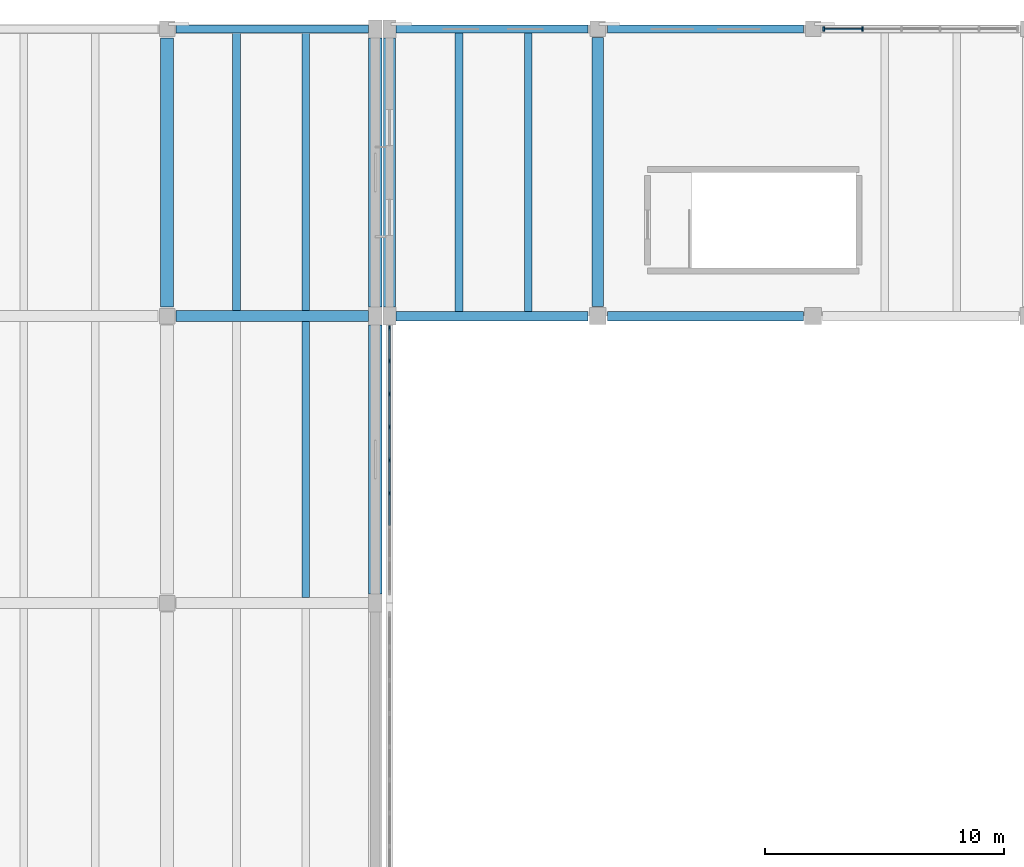
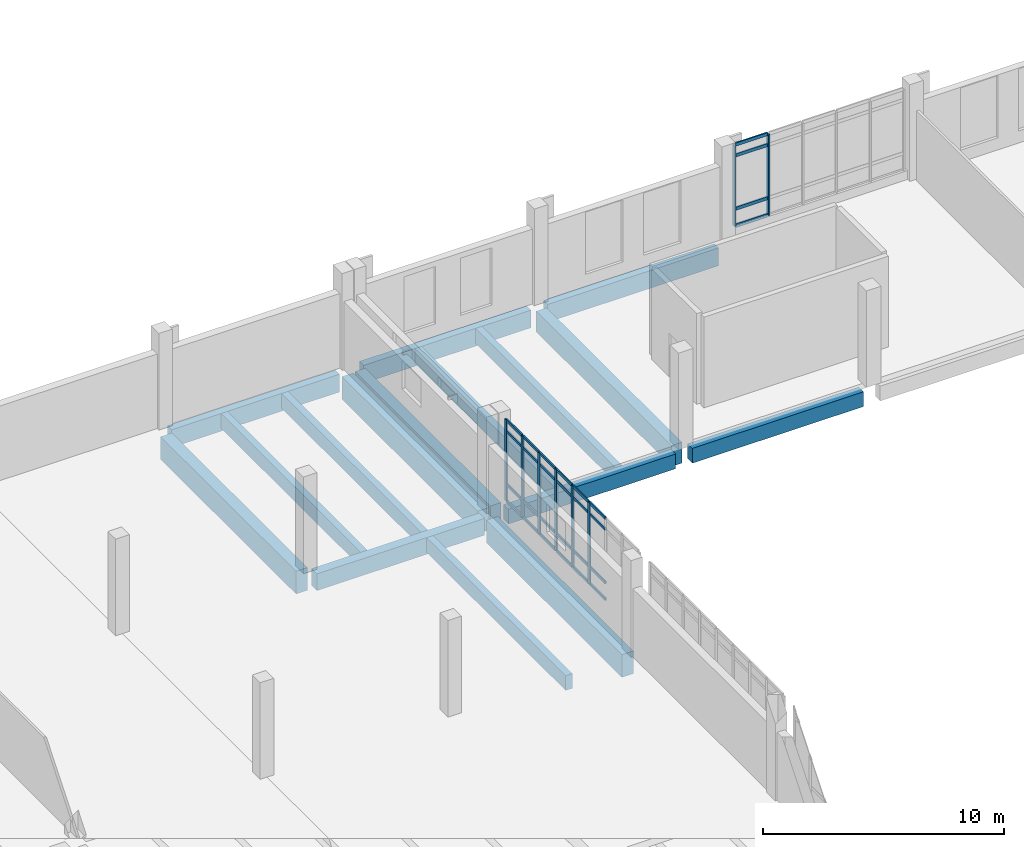
# One storey, part 50 of 110: 36 members, 16 beams, 2 elements without a shape of their own.
"""IFC4 building model written with IfcOpenShell, lengths in metres."""

from ifc_helpers import new_model, si_unit, direction, frame, origin, origin_2d, place, context, subcontext, project, spatial, rectangle, extrude, material, layer, layer_set, material_profile, profile_set, type_object, element, aggregate, save


model = new_model("IFC4")

# Units and contexts
model_context = context("Model", 3, precision=1e-05, world=origin(), true_north=direction((0.0, 1.0)))
body_context = subcontext(model_context, "Body", "Model", "MODEL_VIEW")
ifc_project = project(units=[si_unit("LENGTHUNIT", "METRE"), si_unit("AREAUNIT", "SQUARE_METRE"), si_unit("VOLUMEUNIT", "CUBIC_METRE"), si_unit("PLANEANGLEUNIT", "RADIAN"), si_unit("MASSUNIT", "GRAM", prefix="KILO")], contexts=[model_context])

# Site, building, storey
site_placement = place(None, origin())
site = spatial("IfcSite", under=ifc_project, at=site_placement, CompositionType="ELEMENT")
building_placement = place(site_placement, origin())
building = spatial("IfcBuilding", under=site, at=building_placement, Name="Zacnel Wholesale Market", CompositionType="ELEMENT")
storey_placement = place(building_placement, frame((0.0, 0.0, 6.300048828125)))
storey = spatial("IfcBuildingStorey", under=building, at=storey_placement, Name="L02", CompositionType="ELEMENT", Elevation=6.300048828125)

# Beams
ifc_material_1 = material(Name="Precast concrete C45/55", Category="concrete")
ifc_material_profile_1 = material_profile(ifc_material_1, rectangle(XDim=0.320068359375, YDim=0.75, at=origin_2d()), Name="DT RIB 320x750")
ifc_profile_set_1 = profile_set([ifc_material_profile_1], Name="Precast concrete C45/55")
beam_type_1 = type_object("IfcBeamType", Name="BM-DT750", PredefinedType="JOIST", material=ifc_profile_set_1)
beam_1_placement = place(storey_placement, frame((68.800048828125, 120.22509765625, -0.695068359375), z_axis=(0.0, 1.0, 0.0), x_axis=(-1.0, 0.0, 0.0)))
element("IfcBeam", 1, at=beam_1_placement, inside=storey, type_object=beam_type_1, Name="Precast secondary joist L02-0312", PredefinedType="JOIST", context=body_context, shape_type="SweptSolid", body=[
    extrude(rectangle(XDim=0.320068359375, YDim=0.75, at=origin_2d()), origin(), (0.0, 0.0, 1.0), 11.5498046875),
])
for number, where, z_axis, x_axis, name in (
    (2, (65.89990234375, 132.22509765625, -0.695068359375), (0.0, 1.0, 0.0), (-1.0, 0.0, 0.0), "Precast secondary joist L02-0323"),
    (3, (68.800048828125, 132.22509765625, -0.695068359375), (0.0, 1.0, 0.0), (-1.0, 0.0, 0.0), "Precast secondary joist L02-0324"),
):
    element("IfcBeam", number, at=place(storey_placement, frame(where, z_axis=z_axis, x_axis=x_axis)), inside=storey, type_object=beam_type_1, Name=name, PredefinedType="JOIST", context=body_context, shape_type="SweptSolid", body=[
        extrude(rectangle(XDim=0.320068359375, YDim=0.75, at=origin_2d()), origin(), (0.0, 0.0, 1.0), 11.599853515625),
    ])
for number, where, z_axis, x_axis, name in (
    (4, (75.199951171875, 132.199951171875, -0.655029296875), (0.0, 1.0, 0.0), (-1.0, 0.0, 0.0), "Precast secondary joist L02-0325"),
    (5, (78.10009765625, 132.199951171875, -0.655029296875), (0.0, 1.0, 0.0), (-1.0, 0.0, 0.0), "Precast secondary joist L02-0326"),
):
    element("IfcBeam", number, at=place(storey_placement, frame(where, z_axis=z_axis, x_axis=x_axis)), inside=storey, type_object=beam_type_1, Name=name, PredefinedType="JOIST", context=body_context, shape_type="SweptSolid", body=[
        extrude(rectangle(XDim=0.320068359375, YDim=0.75, at=origin_2d()), origin(), (0.0, 0.0, 1.0), 11.625),
    ])
ifc_material_2 = material(Name="Precast concrete C45/55", Category="concrete")
ifc_material_profile_2 = material_profile(ifc_material_2, rectangle(XDim=0.5, YDim=1.050048828125, at=origin_2d()), Name="PG 500x1050")
ifc_profile_set_2 = profile_set([ifc_material_profile_2], Name="Precast concrete C45/55")
beam_type_2 = type_object("IfcBeamType", Name="BM-PG1050", PredefinedType="T_BEAM", material=ifc_profile_set_2)
for number, where, z_axis, x_axis, name in (
    (6, (72.300048828125, 132.375, -0.804931640625), (0.0, 1.0, 0.0), (-1.0, 0.0, 0.0), "Precast girder Y-0419"),
    (7, (81.0, 132.39990234375, -0.804931640625), (0.0, 1.0, 0.0), (-1.0, 0.0, 0.0), "Precast girder Y-0427"),
):
    element("IfcBeam", number, at=place(storey_placement, frame(where, z_axis=z_axis, x_axis=x_axis)), inside=storey, type_object=beam_type_2, Name=name, PredefinedType="T_BEAM", context=body_context, shape_type="SweptSolid", body=[
        extrude(rectangle(XDim=0.5, YDim=1.050048828125, at=origin_2d()), origin(), (0.0, 0.0, 1.0), 11.25),
    ])
ifc_material_3 = material(Name="Precast concrete C45/55", Category="concrete")
ifc_material_profile_3 = material_profile(ifc_material_3, rectangle(XDim=0.550048828125, YDim=1.14990234375, at=origin_2d()), Name="PG 550x1150")
ifc_profile_set_3 = profile_set([ifc_material_profile_3], Name="Precast concrete C45/55")
beam_type_3 = type_object("IfcBeamType", Name="BM-PG1150", PredefinedType="T_BEAM", material=ifc_profile_set_3)
for number, where, z_axis, x_axis, name in (
    (8, (63.0, 132.375, -0.89501953125), (0.0, 1.0, 0.0), (-1.0, 0.0, 0.0), "Precast girder Y-0400"),
    (9, (71.699951171875, 120.375, -0.89501953125), (0.0, 1.0, 0.0), (-1.0, 0.0, 0.0), "Precast girder Y-0414"),
    (10, (71.699951171875, 132.375, -0.89501953125), (0.0, 1.0, 0.0), (-1.0, 0.0, 0.0), "Precast girder Y-0415"),
):
    element("IfcBeam", number, at=place(storey_placement, frame(where, z_axis=z_axis, x_axis=x_axis)), inside=storey, type_object=beam_type_3, Name=name, PredefinedType="T_BEAM", context=body_context, shape_type="SweptSolid", body=[
        extrude(rectangle(XDim=0.550048828125, YDim=1.14990234375, at=origin_2d()), origin(), (0.0, 0.0, 1.0), 11.25),
    ])
ifc_material_4 = material(Name="Precast concrete C45/55", Category="concrete")
ifc_material_profile_4 = material_profile(ifc_material_4, rectangle(XDim=0.39990234375, YDim=0.75, at=origin_2d()), Name="PG 400x750")
ifc_profile_set_4 = profile_set([ifc_material_profile_4], Name="Precast concrete C45/55")
beam_type_4 = type_object("IfcBeamType", Name="BM-PG750", PredefinedType="BEAM", material=ifc_profile_set_4)
beam_2_placement = place(storey_placement, frame((72.574951171875, 132.0, -0.655029296875), z_axis=(1.0, 0.0, 0.0), x_axis=(0.0, 1.0, 0.0)))
element("IfcBeam", 11, at=beam_2_placement, inside=storey, type_object=beam_type_4, Name="Precast girder X-0266", PredefinedType="BEAM", context=body_context, shape_type="SweptSolid", body=[
    extrude(rectangle(XDim=0.39990234375, YDim=0.75, at=origin_2d()), origin(), (0.0, 0.0, 1.0), 8.025146484375),
])
beam_3_placement = place(storey_placement, frame((81.39990234375, 132.0, -0.655029296875), z_axis=(1.0, 0.0, 0.0), x_axis=(0.0, 1.0, 0.0)))
element("IfcBeam", 12, at=beam_3_placement, inside=storey, type_object=beam_type_4, Name="Precast girder X-0267", PredefinedType="BEAM", context=body_context, shape_type="SweptSolid", body=[
    extrude(rectangle(XDim=0.39990234375, YDim=0.75, at=origin_2d()), origin(), (0.0, 0.0, 1.0), 8.2001953125),
])
ifc_material_5 = material(Name="Precast concrete C45/55", Category="concrete")
ifc_material_profile_5 = material_profile(ifc_material_5, rectangle(XDim=0.449951171875, YDim=0.85009765625, at=origin_2d()), Name="PG 450x850")
ifc_profile_set_5 = profile_set([ifc_material_profile_5], Name="Precast concrete C45/55")
beam_type_5 = type_object("IfcBeamType", Name="BM-PG850", PredefinedType="BEAM", material=ifc_profile_set_5)
beam_4_placement = place(storey_placement, frame((63.375, 132.0, -0.7451171875), z_axis=(1.0, 0.0, 0.0), x_axis=(0.0, 1.0, 0.0)))
element("IfcBeam", 13, at=beam_4_placement, inside=storey, type_object=beam_type_5, Name="Precast girder X-0265", PredefinedType="BEAM", context=body_context, shape_type="SweptSolid", body=[
    extrude(rectangle(XDim=0.449951171875, YDim=0.85009765625, at=origin_2d()), origin(), (0.0, 0.0, 1.0), 8.050048828125),
])
ifc_material_6 = material(Name="Precast concrete C45/55", Category="concrete")
ifc_material_profile_6 = material_profile(ifc_material_6, rectangle(XDim=0.35009765625, YDim=0.89990234375, at=origin_2d()), Name="SP 350x900")
ifc_profile_set_6 = profile_set([ifc_material_profile_6], Name="Precast concrete C45/55")
beam_type_6 = type_object("IfcBeamType", Name="BM-SP900", PredefinedType="SPANDREL", material=ifc_profile_set_6)
beam_5_placement = place(storey_placement, frame((63.375, 144.0, -0.77001953125), z_axis=(1.0, 0.0, 0.0), x_axis=(0.0, 1.0, 0.0)))
element("IfcBeam", 14, at=beam_5_placement, inside=storey, type_object=beam_type_6, Name="Precast girder X-0286", PredefinedType="SPANDREL", context=body_context, shape_type="SweptSolid", body=[
    extrude(rectangle(XDim=0.35009765625, YDim=0.89990234375, at=origin_2d()), origin(), (0.0, 0.0, 1.0), 8.050048828125),
])
beam_6_placement = place(storey_placement, frame((72.574951171875, 144.0, -0.72998046875), z_axis=(1.0, 0.0, 0.0), x_axis=(0.0, 1.0, 0.0)))
element("IfcBeam", 15, at=beam_6_placement, inside=storey, type_object=beam_type_6, Name="Precast girder X-0287", PredefinedType="SPANDREL", context=body_context, shape_type="SweptSolid", body=[
    extrude(rectangle(XDim=0.35009765625, YDim=0.89990234375, at=origin_2d()), origin(), (0.0, 0.0, 1.0), 8.025146484375),
])
beam_7_placement = place(storey_placement, frame((81.39990234375, 144.0, -0.72998046875), z_axis=(1.0, 0.0, 0.0), x_axis=(0.0, 1.0, 0.0)))
element("IfcBeam", 16, at=beam_7_placement, inside=storey, type_object=beam_type_6, Name="Precast girder X-0288", PredefinedType="SPANDREL", context=body_context, shape_type="SweptSolid", body=[
    extrude(rectangle(XDim=0.35009765625, YDim=0.89990234375, at=origin_2d()), origin(), (0.0, 0.0, 1.0), 8.2001953125),
])

# Curtain wall, members
ifc_material_7 = material(Name="Anodised aluminium", Category="aluminium")
ifc_layer_1 = layer(ifc_material_7, 0.159912109375)
ifc_layer_set_1 = layer_set([ifc_layer_1], Name="Anodised aluminium")
curtain_wall_type_1 = type_object("IfcCurtainWallType", Name="CW-COURT-4500", PredefinedType="NOTDEFINED", material=ifc_layer_set_1)
curtain_wall_1_placement = place(storey_placement, origin())
curtain_wall_1 = element("IfcCurtainWall", 17, at=curtain_wall_1_placement, inside=storey, type_object=curtain_wall_type_1, Name="Curtain wall ENV-R2-CW-L02-035", PredefinedType="NOTDEFINED")
ifc_material_8 = material(Name="Anodised aluminium", Category="aluminium")
ifc_material_profile_7 = material_profile(ifc_material_8, rectangle(XDim=0.070068359375, YDim=0.199951171875, at=origin_2d()), Name="AW-MULLION 70x200")
ifc_profile_set_7 = profile_set([ifc_material_profile_7], Name="Anodised aluminium")
member_type_1 = type_object("IfcMemberType", Name="CWM-MUL-02", PredefinedType="MULLION", material=ifc_profile_set_7)
member_1_placement = place(storey_placement, frame((90.449951171875, 144.0, 0.449951171875), z_axis=(0.0, 0.0, 1.0), x_axis=(1.0, 0.0, 0.0)))
member_1 = element("IfcMember", 18, at=member_1_placement, type_object=member_type_1, Name="ENV-R2-CW-L02-035 mullion 01", PredefinedType="MULLION", context=body_context, shape_type="SweptSolid", body=[
    extrude(rectangle(XDim=0.070068359375, YDim=0.199951171875, at=origin_2d()), origin(), (0.0, 0.0, 1.0), 4.10009765625),
])
member_2_placement = place(storey_placement, frame((92.070068359375, 144.0, 0.449951171875), z_axis=(0.0, 0.0, 1.0), x_axis=(1.0, 0.0, 0.0)))
member_2 = element("IfcMember", 19, at=member_2_placement, type_object=member_type_1, Name="ENV-R2-CW-L02-035 mullion 02", PredefinedType="MULLION", context=body_context, shape_type="SweptSolid", body=[
    extrude(rectangle(XDim=0.070068359375, YDim=0.199951171875, at=origin_2d()), origin(), (0.0, 0.0, 1.0), 4.10009765625),
])

ifc_material_9 = material(Name="Anodised aluminium", Category="aluminium")
ifc_layer_2 = layer(ifc_material_9, 0.159912109375)
ifc_layer_set_2 = layer_set([ifc_layer_2], Name="Anodised aluminium")
curtain_wall_type_2 = type_object("IfcCurtainWallType", Name="CW-NAVE-4200", PredefinedType="NOTDEFINED", material=ifc_layer_set_2)
curtain_wall_2_placement = place(storey_placement, origin())
curtain_wall_2 = element("IfcCurtainWall", 20, at=curtain_wall_2_placement, inside=storey, type_object=curtain_wall_type_2, Name="Curtain wall ENV-R2-CW-L02-031", PredefinedType="NOTDEFINED")
ifc_material_10 = material(Name="Anodised aluminium", Category="aluminium")
ifc_material_profile_8 = material_profile(ifc_material_10, rectangle(XDim=0.06494140625, YDim=0.179931640625, at=origin_2d()), Name="AW-MULLION 65x180")
ifc_profile_set_8 = profile_set([ifc_material_profile_8], Name="Anodised aluminium")
member_type_2 = type_object("IfcMemberType", Name="CWM-MUL-03", PredefinedType="MULLION", material=ifc_profile_set_8)
member_3_placement = place(storey_placement, frame((72.300048828125, 124.595703125, 0.449951171875), z_axis=(0.0, 0.0, 1.0), x_axis=(1.0, 0.0, 0.0)))
member_3 = element("IfcMember", 21, at=member_3_placement, type_object=member_type_2, Name="ENV-R2-CW-L02-031 mullion 04", PredefinedType="MULLION", context=body_context, shape_type="SweptSolid", body=[
    extrude(rectangle(XDim=0.06494140625, YDim=0.179931640625, at=origin_2d()), origin(), (0.0, 0.0, 1.0), 4.10009765625),
])
member_4_placement = place(storey_placement, frame((72.300048828125, 125.9775390625, 0.449951171875), z_axis=(0.0, 0.0, 1.0), x_axis=(1.0, 0.0, 0.0)))
member_4 = element("IfcMember", 22, at=member_4_placement, type_object=member_type_2, Name="ENV-R2-CW-L02-031 mullion 05", PredefinedType="MULLION", context=body_context, shape_type="SweptSolid", body=[
    extrude(rectangle(XDim=0.06494140625, YDim=0.179931640625, at=origin_2d()), origin(), (0.0, 0.0, 1.0), 4.10009765625),
])
member_5_placement = place(storey_placement, frame((72.300048828125, 127.359375, 0.449951171875), z_axis=(0.0, 0.0, 1.0), x_axis=(1.0, 0.0, 0.0)))
member_5 = element("IfcMember", 23, at=member_5_placement, type_object=member_type_2, Name="ENV-R2-CW-L02-031 mullion 06", PredefinedType="MULLION", context=body_context, shape_type="SweptSolid", body=[
    extrude(rectangle(XDim=0.06494140625, YDim=0.179931640625, at=origin_2d()), origin(), (0.0, 0.0, 1.0), 4.10009765625),
])
member_6_placement = place(storey_placement, frame((72.300048828125, 128.7412109375, 0.449951171875), z_axis=(0.0, 0.0, 1.0), x_axis=(1.0, 0.0, 0.0)))
member_6 = element("IfcMember", 24, at=member_6_placement, type_object=member_type_2, Name="ENV-R2-CW-L02-031 mullion 07", PredefinedType="MULLION", context=body_context, shape_type="SweptSolid", body=[
    extrude(rectangle(XDim=0.06494140625, YDim=0.179931640625, at=origin_2d()), origin(), (0.0, 0.0, 1.0), 4.10009765625),
])
member_7_placement = place(storey_placement, frame((72.300048828125, 130.123046875, 0.449951171875), z_axis=(0.0, 0.0, 1.0), x_axis=(1.0, 0.0, 0.0)))
member_7 = element("IfcMember", 25, at=member_7_placement, type_object=member_type_2, Name="ENV-R2-CW-L02-031 mullion 08", PredefinedType="MULLION", context=body_context, shape_type="SweptSolid", body=[
    extrude(rectangle(XDim=0.06494140625, YDim=0.179931640625, at=origin_2d()), origin(), (0.0, 0.0, 1.0), 4.10009765625),
])
member_8_placement = place(storey_placement, frame((72.300048828125, 131.5048828125, 0.449951171875), z_axis=(0.0, 0.0, 1.0), x_axis=(1.0, 0.0, 0.0)))
member_8 = element("IfcMember", 26, at=member_8_placement, type_object=member_type_2, Name="ENV-R2-CW-L02-031 mullion 09", PredefinedType="MULLION", context=body_context, shape_type="SweptSolid", body=[
    extrude(rectangle(XDim=0.06494140625, YDim=0.179931640625, at=origin_2d()), origin(), (0.0, 0.0, 1.0), 4.10009765625),
])

# Member
ifc_material_11 = material(Name="Anodised aluminium", Category="aluminium")
ifc_material_profile_9 = material_profile(ifc_material_11, rectangle(XDim=0.070068359375, YDim=0.159912109375, at=origin_2d()), Name="AW-TRANSOM 70x160")
ifc_profile_set_9 = profile_set([ifc_material_profile_9], Name="Anodised aluminium")
member_type_3 = type_object("IfcMemberType", Name="CWM-TRN-02", PredefinedType="USERDEFINED", material=ifc_profile_set_9)
member_9_placement = place(storey_placement, frame((90.485107421875, 144.0, 0.449951171875), z_axis=(1.0, 0.0, 0.0), x_axis=(0.0, 1.0, 0.0)))
member_9 = element("IfcMember", 27, at=member_9_placement, type_object=member_type_3, Name="ENV-R2-CW-L02-035 transom 1-1", ObjectType="TRANSOM", PredefinedType="USERDEFINED", context=body_context, shape_type="SweptSolid", body=[
    extrude(rectangle(XDim=0.070068359375, YDim=0.159912109375, at=origin_2d()), origin(), (0.0, 0.0, 1.0), 1.5498046875),
])

member_10_placement = place(storey_placement, frame((90.485107421875, 144.0, 1.300048828125), z_axis=(1.0, 0.0, 0.0), x_axis=(0.0, 1.0, 0.0)))
member_10 = element("IfcMember", 28, at=member_10_placement, type_object=member_type_3, Name="ENV-R2-CW-L02-035 transom 1-2", ObjectType="TRANSOM", PredefinedType="USERDEFINED", context=body_context, shape_type="SweptSolid", body=[
    extrude(rectangle(XDim=0.070068359375, YDim=0.159912109375, at=origin_2d()), origin(), (0.0, 0.0, 1.0), 1.5498046875),
])

member_11_placement = place(storey_placement, frame((90.485107421875, 144.0, 4.0), z_axis=(1.0, 0.0, 0.0), x_axis=(0.0, 1.0, 0.0)))
member_11 = element("IfcMember", 29, at=member_11_placement, type_object=member_type_3, Name="ENV-R2-CW-L02-035 transom 1-3", ObjectType="TRANSOM", PredefinedType="USERDEFINED", context=body_context, shape_type="SweptSolid", body=[
    extrude(rectangle(XDim=0.070068359375, YDim=0.159912109375, at=origin_2d()), origin(), (0.0, 0.0, 1.0), 1.5498046875),
])

member_12_placement = place(storey_placement, frame((90.485107421875, 144.0, 4.550048828125), z_axis=(1.0, 0.0, 0.0), x_axis=(0.0, 1.0, 0.0)))
member_12 = element("IfcMember", 30, at=member_12_placement, type_object=member_type_3, Name="ENV-R2-CW-L02-035 transom 1-4", ObjectType="TRANSOM", PredefinedType="USERDEFINED", context=body_context, shape_type="SweptSolid", body=[
    extrude(rectangle(XDim=0.070068359375, YDim=0.159912109375, at=origin_2d()), origin(), (0.0, 0.0, 1.0), 1.5498046875),
])

aggregate(curtain_wall_1, [member_1, member_2, member_9, member_10, member_11, member_12])

ifc_material_12 = material(Name="Anodised aluminium", Category="aluminium")
ifc_material_profile_10 = material_profile(ifc_material_12, rectangle(XDim=0.06494140625, YDim=0.139892578125, at=origin_2d()), Name="AW-TRANSOM 65x140")
ifc_profile_set_10 = profile_set([ifc_material_profile_10], Name="Anodised aluminium")
member_type_4 = type_object("IfcMemberType", Name="CWM-TRN-03", PredefinedType="USERDEFINED", material=ifc_profile_set_10)
member_13_placement = place(storey_placement, frame((72.300048828125, 123.248779296875, 0.449951171875), z_axis=(0.0, 1.0, 0.0), x_axis=(-1.0, 0.0, 0.0)))
member_13 = element("IfcMember", 31, at=member_13_placement, type_object=member_type_4, Name="ENV-R2-CW-L02-031 transom 3-1", ObjectType="TRANSOM", PredefinedType="USERDEFINED", context=body_context, shape_type="SweptSolid", body=[
    extrude(rectangle(XDim=0.06494140625, YDim=0.139892578125, at=origin_2d()), origin(), (0.0, 0.0, 1.0), 1.311767578125),
])

member_14_placement = place(storey_placement, frame((72.300048828125, 123.248779296875, 1.300048828125), z_axis=(0.0, 1.0, 0.0), x_axis=(-1.0, 0.0, 0.0)))
member_14 = element("IfcMember", 32, at=member_14_placement, type_object=member_type_4, Name="ENV-R2-CW-L02-031 transom 3-2", ObjectType="TRANSOM", PredefinedType="USERDEFINED", context=body_context, shape_type="SweptSolid", body=[
    extrude(rectangle(XDim=0.06494140625, YDim=0.139892578125, at=origin_2d()), origin(), (0.0, 0.0, 1.0), 1.311767578125),
])

member_15_placement = place(storey_placement, frame((72.300048828125, 123.248779296875, 4.0), z_axis=(0.0, 1.0, 0.0), x_axis=(-1.0, 0.0, 0.0)))
member_15 = element("IfcMember", 33, at=member_15_placement, type_object=member_type_4, Name="ENV-R2-CW-L02-031 transom 3-3", ObjectType="TRANSOM", PredefinedType="USERDEFINED", context=body_context, shape_type="SweptSolid", body=[
    extrude(rectangle(XDim=0.06494140625, YDim=0.139892578125, at=origin_2d()), origin(), (0.0, 0.0, 1.0), 1.311767578125),
])

member_16_placement = place(storey_placement, frame((72.300048828125, 123.248779296875, 4.550048828125), z_axis=(0.0, 1.0, 0.0), x_axis=(-1.0, 0.0, 0.0)))
member_16 = element("IfcMember", 34, at=member_16_placement, type_object=member_type_4, Name="ENV-R2-CW-L02-031 transom 3-4", ObjectType="TRANSOM", PredefinedType="USERDEFINED", context=body_context, shape_type="SweptSolid", body=[
    extrude(rectangle(XDim=0.06494140625, YDim=0.139892578125, at=origin_2d()), origin(), (0.0, 0.0, 1.0), 1.311767578125),
])

member_17_placement = place(storey_placement, frame((72.300048828125, 124.630615234375, 0.449951171875), z_axis=(0.0, 1.0, 0.0), x_axis=(-1.0, 0.0, 0.0)))
member_17 = element("IfcMember", 35, at=member_17_placement, type_object=member_type_4, Name="ENV-R2-CW-L02-031 transom 4-1", ObjectType="TRANSOM", PredefinedType="USERDEFINED", context=body_context, shape_type="SweptSolid", body=[
    extrude(rectangle(XDim=0.06494140625, YDim=0.139892578125, at=origin_2d()), origin(), (0.0, 0.0, 1.0), 1.311767578125),
])

member_18_placement = place(storey_placement, frame((72.300048828125, 124.630615234375, 1.300048828125), z_axis=(0.0, 1.0, 0.0), x_axis=(-1.0, 0.0, 0.0)))
member_18 = element("IfcMember", 36, at=member_18_placement, type_object=member_type_4, Name="ENV-R2-CW-L02-031 transom 4-2", ObjectType="TRANSOM", PredefinedType="USERDEFINED", context=body_context, shape_type="SweptSolid", body=[
    extrude(rectangle(XDim=0.06494140625, YDim=0.139892578125, at=origin_2d()), origin(), (0.0, 0.0, 1.0), 1.311767578125),
])

member_19_placement = place(storey_placement, frame((72.300048828125, 124.630615234375, 4.0), z_axis=(0.0, 1.0, 0.0), x_axis=(-1.0, 0.0, 0.0)))
member_19 = element("IfcMember", 37, at=member_19_placement, type_object=member_type_4, Name="ENV-R2-CW-L02-031 transom 4-3", ObjectType="TRANSOM", PredefinedType="USERDEFINED", context=body_context, shape_type="SweptSolid", body=[
    extrude(rectangle(XDim=0.06494140625, YDim=0.139892578125, at=origin_2d()), origin(), (0.0, 0.0, 1.0), 1.311767578125),
])

member_20_placement = place(storey_placement, frame((72.300048828125, 124.630615234375, 4.550048828125), z_axis=(0.0, 1.0, 0.0), x_axis=(-1.0, 0.0, 0.0)))
member_20 = element("IfcMember", 38, at=member_20_placement, type_object=member_type_4, Name="ENV-R2-CW-L02-031 transom 4-4", ObjectType="TRANSOM", PredefinedType="USERDEFINED", context=body_context, shape_type="SweptSolid", body=[
    extrude(rectangle(XDim=0.06494140625, YDim=0.139892578125, at=origin_2d()), origin(), (0.0, 0.0, 1.0), 1.311767578125),
])

member_21_placement = place(storey_placement, frame((72.300048828125, 126.012451171875, 0.449951171875), z_axis=(0.0, 1.0, 0.0), x_axis=(-1.0, 0.0, 0.0)))
member_21 = element("IfcMember", 39, at=member_21_placement, type_object=member_type_4, Name="ENV-R2-CW-L02-031 transom 5-1", ObjectType="TRANSOM", PredefinedType="USERDEFINED", context=body_context, shape_type="SweptSolid", body=[
    extrude(rectangle(XDim=0.06494140625, YDim=0.139892578125, at=origin_2d()), origin(), (0.0, 0.0, 1.0), 1.31201171875),
])

member_22_placement = place(storey_placement, frame((72.300048828125, 126.012451171875, 1.300048828125), z_axis=(0.0, 1.0, 0.0), x_axis=(-1.0, 0.0, 0.0)))
member_22 = element("IfcMember", 40, at=member_22_placement, type_object=member_type_4, Name="ENV-R2-CW-L02-031 transom 5-2", ObjectType="TRANSOM", PredefinedType="USERDEFINED", context=body_context, shape_type="SweptSolid", body=[
    extrude(rectangle(XDim=0.06494140625, YDim=0.139892578125, at=origin_2d()), origin(), (0.0, 0.0, 1.0), 1.31201171875),
])

member_23_placement = place(storey_placement, frame((72.300048828125, 126.012451171875, 4.0), z_axis=(0.0, 1.0, 0.0), x_axis=(-1.0, 0.0, 0.0)))
member_23 = element("IfcMember", 41, at=member_23_placement, type_object=member_type_4, Name="ENV-R2-CW-L02-031 transom 5-3", ObjectType="TRANSOM", PredefinedType="USERDEFINED", context=body_context, shape_type="SweptSolid", body=[
    extrude(rectangle(XDim=0.06494140625, YDim=0.139892578125, at=origin_2d()), origin(), (0.0, 0.0, 1.0), 1.31201171875),
])

member_24_placement = place(storey_placement, frame((72.300048828125, 126.012451171875, 4.550048828125), z_axis=(0.0, 1.0, 0.0), x_axis=(-1.0, 0.0, 0.0)))
member_24 = element("IfcMember", 42, at=member_24_placement, type_object=member_type_4, Name="ENV-R2-CW-L02-031 transom 5-4", ObjectType="TRANSOM", PredefinedType="USERDEFINED", context=body_context, shape_type="SweptSolid", body=[
    extrude(rectangle(XDim=0.06494140625, YDim=0.139892578125, at=origin_2d()), origin(), (0.0, 0.0, 1.0), 1.31201171875),
])

member_25_placement = place(storey_placement, frame((72.300048828125, 127.394287109375, 0.449951171875), z_axis=(0.0, 1.0, 0.0), x_axis=(-1.0, 0.0, 0.0)))
member_25 = element("IfcMember", 43, at=member_25_placement, type_object=member_type_4, Name="ENV-R2-CW-L02-031 transom 6-1", ObjectType="TRANSOM", PredefinedType="USERDEFINED", context=body_context, shape_type="SweptSolid", body=[
    extrude(rectangle(XDim=0.06494140625, YDim=0.139892578125, at=origin_2d()), origin(), (0.0, 0.0, 1.0), 1.31201171875),
])

member_26_placement = place(storey_placement, frame((72.300048828125, 127.394287109375, 1.300048828125), z_axis=(0.0, 1.0, 0.0), x_axis=(-1.0, 0.0, 0.0)))
member_26 = element("IfcMember", 44, at=member_26_placement, type_object=member_type_4, Name="ENV-R2-CW-L02-031 transom 6-2", ObjectType="TRANSOM", PredefinedType="USERDEFINED", context=body_context, shape_type="SweptSolid", body=[
    extrude(rectangle(XDim=0.06494140625, YDim=0.139892578125, at=origin_2d()), origin(), (0.0, 0.0, 1.0), 1.31201171875),
])

member_27_placement = place(storey_placement, frame((72.300048828125, 127.394287109375, 4.0), z_axis=(0.0, 1.0, 0.0), x_axis=(-1.0, 0.0, 0.0)))
member_27 = element("IfcMember", 45, at=member_27_placement, type_object=member_type_4, Name="ENV-R2-CW-L02-031 transom 6-3", ObjectType="TRANSOM", PredefinedType="USERDEFINED", context=body_context, shape_type="SweptSolid", body=[
    extrude(rectangle(XDim=0.06494140625, YDim=0.139892578125, at=origin_2d()), origin(), (0.0, 0.0, 1.0), 1.31201171875),
])

member_28_placement = place(storey_placement, frame((72.300048828125, 127.394287109375, 4.550048828125), z_axis=(0.0, 1.0, 0.0), x_axis=(-1.0, 0.0, 0.0)))
member_28 = element("IfcMember", 46, at=member_28_placement, type_object=member_type_4, Name="ENV-R2-CW-L02-031 transom 6-4", ObjectType="TRANSOM", PredefinedType="USERDEFINED", context=body_context, shape_type="SweptSolid", body=[
    extrude(rectangle(XDim=0.06494140625, YDim=0.139892578125, at=origin_2d()), origin(), (0.0, 0.0, 1.0), 1.31201171875),
])

member_29_placement = place(storey_placement, frame((72.300048828125, 128.7763671875, 0.449951171875), z_axis=(0.0, 1.0, 0.0), x_axis=(-1.0, 0.0, 0.0)))
member_29 = element("IfcMember", 47, at=member_29_placement, type_object=member_type_4, Name="ENV-R2-CW-L02-031 transom 7-1", ObjectType="TRANSOM", PredefinedType="USERDEFINED", context=body_context, shape_type="SweptSolid", body=[
    extrude(rectangle(XDim=0.06494140625, YDim=0.139892578125, at=origin_2d()), origin(), (0.0, 0.0, 1.0), 1.311767578125),
])

member_30_placement = place(storey_placement, frame((72.300048828125, 128.7763671875, 1.300048828125), z_axis=(0.0, 1.0, 0.0), x_axis=(-1.0, 0.0, 0.0)))
member_30 = element("IfcMember", 48, at=member_30_placement, type_object=member_type_4, Name="ENV-R2-CW-L02-031 transom 7-2", ObjectType="TRANSOM", PredefinedType="USERDEFINED", context=body_context, shape_type="SweptSolid", body=[
    extrude(rectangle(XDim=0.06494140625, YDim=0.139892578125, at=origin_2d()), origin(), (0.0, 0.0, 1.0), 1.311767578125),
])

member_31_placement = place(storey_placement, frame((72.300048828125, 128.7763671875, 4.0), z_axis=(0.0, 1.0, 0.0), x_axis=(-1.0, 0.0, 0.0)))
member_31 = element("IfcMember", 49, at=member_31_placement, type_object=member_type_4, Name="ENV-R2-CW-L02-031 transom 7-3", ObjectType="TRANSOM", PredefinedType="USERDEFINED", context=body_context, shape_type="SweptSolid", body=[
    extrude(rectangle(XDim=0.06494140625, YDim=0.139892578125, at=origin_2d()), origin(), (0.0, 0.0, 1.0), 1.311767578125),
])

member_32_placement = place(storey_placement, frame((72.300048828125, 128.7763671875, 4.550048828125), z_axis=(0.0, 1.0, 0.0), x_axis=(-1.0, 0.0, 0.0)))
member_32 = element("IfcMember", 50, at=member_32_placement, type_object=member_type_4, Name="ENV-R2-CW-L02-031 transom 7-4", ObjectType="TRANSOM", PredefinedType="USERDEFINED", context=body_context, shape_type="SweptSolid", body=[
    extrude(rectangle(XDim=0.06494140625, YDim=0.139892578125, at=origin_2d()), origin(), (0.0, 0.0, 1.0), 1.311767578125),
])

member_33_placement = place(storey_placement, frame((72.300048828125, 130.158203125, 0.449951171875), z_axis=(0.0, 1.0, 0.0), x_axis=(-1.0, 0.0, 0.0)))
member_33 = element("IfcMember", 51, at=member_33_placement, type_object=member_type_4, Name="ENV-R2-CW-L02-031 transom 8-1", ObjectType="TRANSOM", PredefinedType="USERDEFINED", context=body_context, shape_type="SweptSolid", body=[
    extrude(rectangle(XDim=0.06494140625, YDim=0.139892578125, at=origin_2d()), origin(), (0.0, 0.0, 1.0), 1.311767578125),
])

member_34_placement = place(storey_placement, frame((72.300048828125, 130.158203125, 1.300048828125), z_axis=(0.0, 1.0, 0.0), x_axis=(-1.0, 0.0, 0.0)))
member_34 = element("IfcMember", 52, at=member_34_placement, type_object=member_type_4, Name="ENV-R2-CW-L02-031 transom 8-2", ObjectType="TRANSOM", PredefinedType="USERDEFINED", context=body_context, shape_type="SweptSolid", body=[
    extrude(rectangle(XDim=0.06494140625, YDim=0.139892578125, at=origin_2d()), origin(), (0.0, 0.0, 1.0), 1.311767578125),
])

member_35_placement = place(storey_placement, frame((72.300048828125, 130.158203125, 4.0), z_axis=(0.0, 1.0, 0.0), x_axis=(-1.0, 0.0, 0.0)))
member_35 = element("IfcMember", 53, at=member_35_placement, type_object=member_type_4, Name="ENV-R2-CW-L02-031 transom 8-3", ObjectType="TRANSOM", PredefinedType="USERDEFINED", context=body_context, shape_type="SweptSolid", body=[
    extrude(rectangle(XDim=0.06494140625, YDim=0.139892578125, at=origin_2d()), origin(), (0.0, 0.0, 1.0), 1.311767578125),
])

member_36_placement = place(storey_placement, frame((72.300048828125, 130.158203125, 4.550048828125), z_axis=(0.0, 1.0, 0.0), x_axis=(-1.0, 0.0, 0.0)))
member_36 = element("IfcMember", 54, at=member_36_placement, type_object=member_type_4, Name="ENV-R2-CW-L02-031 transom 8-4", ObjectType="TRANSOM", PredefinedType="USERDEFINED", context=body_context, shape_type="SweptSolid", body=[
    extrude(rectangle(XDim=0.06494140625, YDim=0.139892578125, at=origin_2d()), origin(), (0.0, 0.0, 1.0), 1.311767578125),
])

aggregate(curtain_wall_2, [member_3, member_4, member_5, member_6, member_7, member_8, member_13, member_14, member_15, member_16, member_17, member_18, member_19, member_20, member_21, member_22, member_23, member_24, member_25, member_26, member_27, member_28, member_29, member_30, member_31, member_32, member_33, member_34, member_35, member_36])

save(model, "model.ifc")
